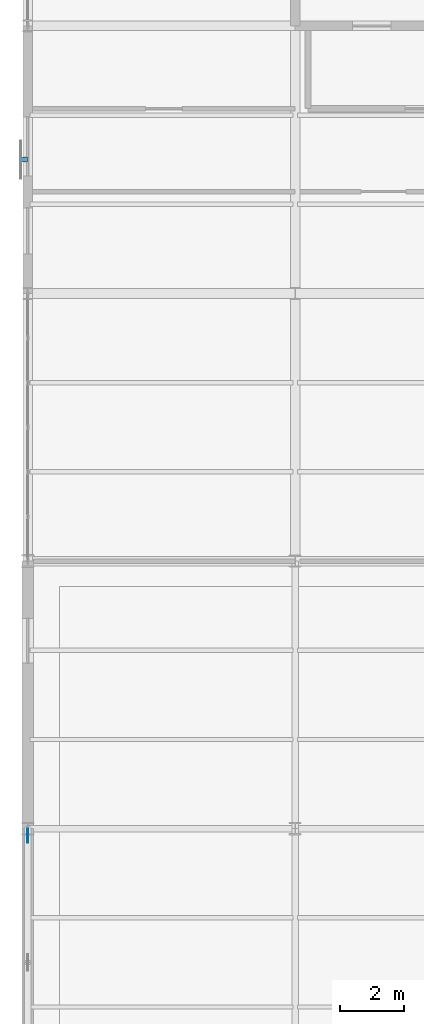
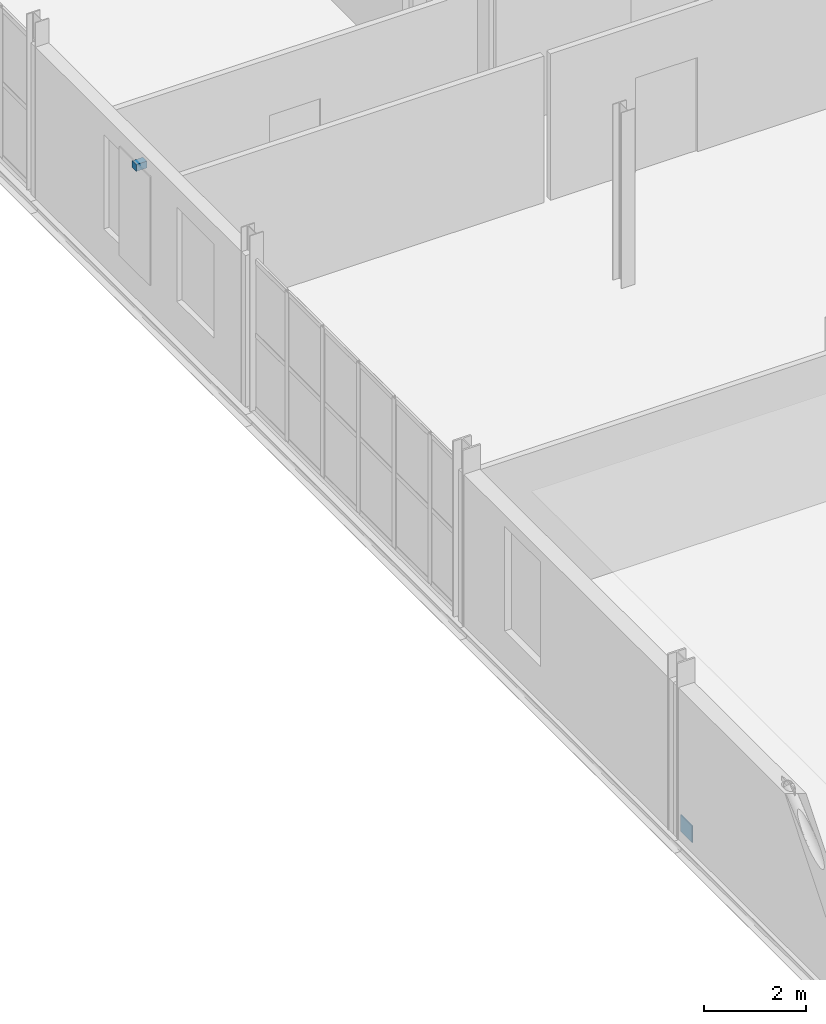
# One storey, part 142 of 163: 2 discrete accessories.
"""IFC4 building model written with IfcOpenShell, lengths in metres."""

from ifc_helpers import new_model, si_unit, direction, frame, origin, origin_2d, place, context, subcontext, project, spatial, rectangle, extrude, material, type_object, element, save


model = new_model("IFC4")

# Units and contexts
model_context = context("Model", 3, precision=1e-05, world=origin(), true_north=direction((0.0, 1.0)))
body_context = subcontext(model_context, "Body", "Model", "MODEL_VIEW")
ifc_project = project(units=[si_unit("LENGTHUNIT", "METRE"), si_unit("AREAUNIT", "SQUARE_METRE"), si_unit("VOLUMEUNIT", "CUBIC_METRE"), si_unit("PLANEANGLEUNIT", "RADIAN"), si_unit("MASSUNIT", "GRAM", prefix="KILO")], contexts=[model_context])

# Site, building, storey
site_placement = place(None, origin())
site = spatial("IfcSite", under=ifc_project, at=site_placement, CompositionType="ELEMENT")
building_placement = place(site_placement, origin())
building = spatial("IfcBuilding", under=site, at=building_placement, Name="Qalvenar Corner Mobility Hub", CompositionType="ELEMENT")
storey_placement = place(building_placement, frame((0.0, 0.0, 4.800048828125)))
storey = spatial("IfcBuildingStorey", under=building, at=storey_placement, Name="L01", CompositionType="ELEMENT", Elevation=4.800048828125)

# Discrete accessories
ifc_material = material(Name="Steel S355", Category="steel")
discrete_accessory_type_1 = type_object("IfcDiscreteAccessoryType", Name="ACC-GUSSET-PLT", PredefinedType="BRACKET", material=ifc_material)
discrete_accessory_1_placement = place(storey_placement, frame((0.0, 33.3798828125, 0.0), z_axis=(0.0, 0.0, 1.0), x_axis=(0.0, 1.0, 0.0)))
element("IfcDiscreteAccessory", 1, at=discrete_accessory_1_placement, inside=storey, type_object=discrete_accessory_type_1, Name="Brace Base Gusset Plate GP-B-021", PredefinedType="BRACKET", context=body_context, shape_type="SweptSolid", body=[
    extrude(rectangle(XDim=0.449951171875, YDim=0.02490234375, at=origin_2d()), origin(), (0.0, 0.0, 1.0), 0.39990234375),
])
discrete_accessory_type_2 = type_object("IfcDiscreteAccessoryType", Name="ACC-HINGE-BRK", PredefinedType="BRACKET", material=ifc_material)
discrete_accessory_2_placement = place(storey_placement, frame((-0.1201171875, 54.60009765625, 3.169921875), z_axis=(0.0, 0.0, 1.0), x_axis=(0.0, 1.0, 0.0)))
element("IfcDiscreteAccessory", 2, at=discrete_accessory_2_placement, inside=storey, type_object=discrete_accessory_type_2, Name="Cycle Screen Bracket BKV5-L01-1", PredefinedType="BRACKET", context=body_context, shape_type="SweptSolid", body=[
    extrude(rectangle(XDim=0.159912109375, YDim=0.239990234375, at=origin_2d()), origin(), (0.0, 0.0, 1.0), 0.159912109375),
])

save(model, "model.ifc")
